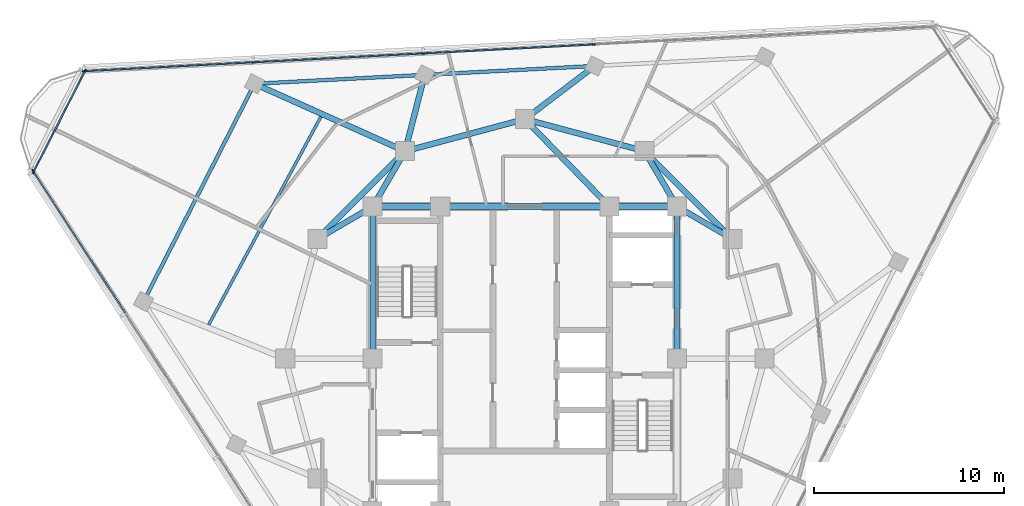
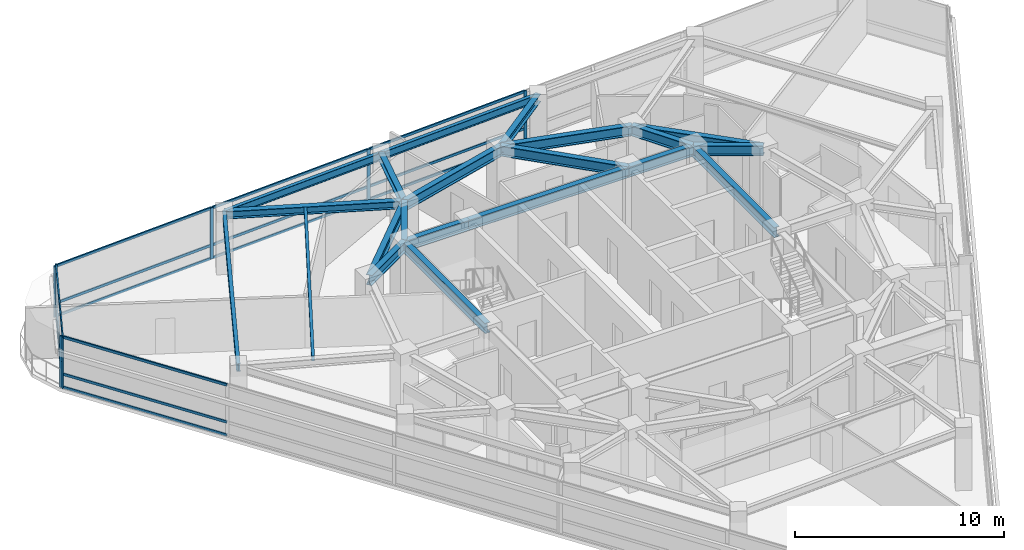
# One storey, part 5 of 15: 22 members, 21 beams, 3 elements without a shape of their own.
"""IFC4 building model written with IfcOpenShell, lengths in metres."""

from ifc_helpers import new_model, si_unit, direction, frame, origin, origin_2d, place, context, subcontext, project, spatial, rectangle, i_section, extrude, material, layer, layer_set, material_profile, profile_set, type_object, element, aggregate, save


model = new_model("IFC4")

# Units and contexts
model_context = context("Model", 3, precision=1e-05, world=origin(), true_north=direction((0.0, 1.0)))
body_context = subcontext(model_context, "Body", "Model", "MODEL_VIEW")
ifc_project = project(units=[si_unit("LENGTHUNIT", "METRE"), si_unit("AREAUNIT", "SQUARE_METRE"), si_unit("VOLUMEUNIT", "CUBIC_METRE"), si_unit("PLANEANGLEUNIT", "RADIAN"), si_unit("MASSUNIT", "GRAM", prefix="KILO")], contexts=[model_context])

# Site, building, storey
site_placement = place(None, origin())
site = spatial("IfcSite", under=ifc_project, at=site_placement, CompositionType="ELEMENT")
building_placement = place(site_placement, origin())
building = spatial("IfcBuilding", under=site, at=building_placement, Name="Terralouvre Media Tower", CompositionType="ELEMENT")
storey_placement = place(building_placement, frame((0.0, 0.0, 248.5)))
storey = spatial("IfcBuildingStorey", under=building, at=storey_placement, Name="L64", CompositionType="ELEMENT", Elevation=248.5)

# Beam
ifc_material_1 = material(Name="Structural steel S355J2", Category="steel")
ifc_material_profile_1 = material_profile(ifc_material_1, i_section(OverallWidth=0.14990234375, OverallDepth=0.300048828125, WebThickness=0.007080078125, FlangeThickness=0.0107421875, at=origin_2d()), Name="IPE 300")
ifc_profile_set_1 = profile_set([ifc_material_profile_1], Name="Structural steel S355J2")
beam_type_1 = type_object("IfcBeamType", Name="Composite Floor Joist J-IPE300 (IPE 300)", PredefinedType="JOIST", material=ifc_profile_set_1)
beam_1_placement = place(storey_placement, frame((-10.72509765625, 12.73046875, 3.35009765625), z_axis=(-0.47463118451, -0.880184775312, 0.0), x_axis=(0.880184775312, -0.47463118451, 0.0)))
element("IfcBeam", 1, at=beam_1_placement, inside=storey, type_object=beam_type_1, Name="L64 Framing Beam JT-L64-05", PredefinedType="JOIST", context=body_context, shape_type="SweptSolid", body=[
    extrude(i_section(OverallWidth=0.14990234375, OverallDepth=0.300048828125, WebThickness=0.007080078125, FlangeThickness=0.0107421875, at=origin_2d()), origin(), (0.0, 0.0, 1.0), 12.437255859375),
])

# Curtain wall, members
ifc_material_2 = material(Name="Low-iron laminated double glazing with solar-control coating", Category="glass")
ifc_layer_1 = layer(ifc_material_2, 0.1650390625, Name="Upper Executive Tower Curtain Wall CW-05")
ifc_layer_set_1 = layer_set([ifc_layer_1], Name="Low-iron laminated double glazing with solar-control coating")
curtain_wall_type_1 = type_object("IfcCurtainWallType", Name="Upper Executive Tower Curtain Wall CW-05", PredefinedType="NOTDEFINED", material=ifc_layer_set_1)
curtain_wall_1_placement = place(storey_placement, origin())
curtain_wall_1 = element("IfcCurtainWall", 2, at=curtain_wall_1_placement, inside=storey, type_object=curtain_wall_type_1, Name="L64 Facade Curtain Wall F1", PredefinedType="NOTDEFINED")
ifc_material_3 = material(Name="Anodised extruded aluminium 6063-T6", Category="aluminium")
ifc_material_profile_2 = material_profile(ifc_material_3, rectangle(XDim=0.074951171875, YDim=0.14990234375, at=origin_2d()), Name="ALU 75x150")
ifc_profile_set_2 = profile_set([ifc_material_profile_2], Name="Anodised extruded aluminium 6063-T6")
member_type_1 = type_object("IfcMemberType", Name="Curtain-Wall Horizontal Transom TR-150", PredefinedType="USERDEFINED", material=ifc_profile_set_2)
member_1_placement = place(storey_placement, frame((3.582763671875, 16.522705078125, 0.03759765625), z_axis=(-0.998630476572, -0.052317982208, 0.0), x_axis=(0.052317982208, -0.998630476572, 0.0)))
member_1 = element("IfcMember", 3, at=member_1_placement, type_object=member_type_1, Name="CW-05 transom 3.1", ObjectType="TRANSOM", PredefinedType="USERDEFINED", context=body_context, shape_type="SweptSolid", body=[
    extrude(rectangle(XDim=0.074951171875, YDim=0.14990234375, at=origin_2d()), origin(), (0.0, 0.0, 1.0), 8.885009765625),
])
member_2_placement = place(storey_placement, frame((3.582763671875, 16.522705078125, 0.800048828125), z_axis=(-0.998630476572, -0.052317982208, 0.0), x_axis=(0.052317982208, -0.998630476572, 0.0)))
member_2 = element("IfcMember", 4, at=member_2_placement, type_object=member_type_1, Name="CW-05 transom 3.2", ObjectType="TRANSOM", PredefinedType="USERDEFINED", context=body_context, shape_type="SweptSolid", body=[
    extrude(rectangle(XDim=0.074951171875, YDim=0.14990234375, at=origin_2d()), origin(), (0.0, 0.0, 1.0), 8.885009765625),
])
member_3_placement = place(storey_placement, frame((3.582763671875, 16.522705078125, 2.96240234375), z_axis=(-0.998630476572, -0.052317982208, 0.0), x_axis=(0.052317982208, -0.998630476572, 0.0)))
member_3 = element("IfcMember", 5, at=member_3_placement, type_object=member_type_1, Name="CW-05 transom 3.3", ObjectType="TRANSOM", PredefinedType="USERDEFINED", context=body_context, shape_type="SweptSolid", body=[
    extrude(rectangle(XDim=0.074951171875, YDim=0.14990234375, at=origin_2d()), origin(), (0.0, 0.0, 1.0), 8.885009765625),
])
member_4_placement = place(storey_placement, frame((-5.364990234375, 16.053955078125, 0.03759765625), z_axis=(-0.998629040577, -0.052345384869, 0.0), x_axis=(0.052345384869, -0.998629040577, 0.0)))
member_4 = element("IfcMember", 6, at=member_4_placement, type_object=member_type_1, Name="CW-05 transom 4.1", ObjectType="TRANSOM", PredefinedType="USERDEFINED", context=body_context, shape_type="SweptSolid", body=[
    extrude(rectangle(XDim=0.074951171875, YDim=0.14990234375, at=origin_2d()), origin(), (0.0, 0.0, 1.0), 8.885009765625),
])
member_5_placement = place(storey_placement, frame((-5.364990234375, 16.053955078125, 0.800048828125), z_axis=(-0.998629040577, -0.052345384869, 0.0), x_axis=(0.052345384869, -0.998629040577, 0.0)))
member_5 = element("IfcMember", 7, at=member_5_placement, type_object=member_type_1, Name="CW-05 transom 4.2", ObjectType="TRANSOM", PredefinedType="USERDEFINED", context=body_context, shape_type="SweptSolid", body=[
    extrude(rectangle(XDim=0.074951171875, YDim=0.14990234375, at=origin_2d()), origin(), (0.0, 0.0, 1.0), 8.885009765625),
])
member_6_placement = place(storey_placement, frame((-5.364990234375, 16.053955078125, 2.96240234375), z_axis=(-0.998629040577, -0.052345384869, 0.0), x_axis=(0.052345384869, -0.998629040577, 0.0)))
member_6 = element("IfcMember", 8, at=member_6_placement, type_object=member_type_1, Name="CW-05 transom 4.3", ObjectType="TRANSOM", PredefinedType="USERDEFINED", context=body_context, shape_type="SweptSolid", body=[
    extrude(rectangle(XDim=0.074951171875, YDim=0.14990234375, at=origin_2d()), origin(), (0.0, 0.0, 1.0), 8.885009765625),
])
member_7_placement = place(storey_placement, frame((-14.312744140625, 15.5849609375, 0.03759765625), z_axis=(-0.99862901196, -0.052345930801, 0.0), x_axis=(0.052345930801, -0.99862901196, 0.0)))
member_7 = element("IfcMember", 9, at=member_7_placement, type_object=member_type_1, Name="CW-05 transom 5.1", ObjectType="TRANSOM", PredefinedType="USERDEFINED", context=body_context, shape_type="SweptSolid", body=[
    extrude(rectangle(XDim=0.074951171875, YDim=0.14990234375, at=origin_2d()), origin(), (0.0, 0.0, 1.0), 8.84765625),
])
member_8_placement = place(storey_placement, frame((-14.312744140625, 15.5849609375, 0.800048828125), z_axis=(-0.99862901196, -0.052345930801, 0.0), x_axis=(0.052345930801, -0.99862901196, 0.0)))
member_8 = element("IfcMember", 10, at=member_8_placement, type_object=member_type_1, Name="CW-05 transom 5.2", ObjectType="TRANSOM", PredefinedType="USERDEFINED", context=body_context, shape_type="SweptSolid", body=[
    extrude(rectangle(XDim=0.074951171875, YDim=0.14990234375, at=origin_2d()), origin(), (0.0, 0.0, 1.0), 8.84765625),
])
member_9_placement = place(storey_placement, frame((-14.312744140625, 15.5849609375, 2.96240234375), z_axis=(-0.99862901196, -0.052345930801, 0.0), x_axis=(0.052345930801, -0.99862901196, 0.0)))
member_9 = element("IfcMember", 11, at=member_9_placement, type_object=member_type_1, Name="CW-05 transom 5.3", ObjectType="TRANSOM", PredefinedType="USERDEFINED", context=body_context, shape_type="SweptSolid", body=[
    extrude(rectangle(XDim=0.074951171875, YDim=0.14990234375, at=origin_2d()), origin(), (0.0, 0.0, 1.0), 8.84765625),
])

curtain_wall_2_placement = place(storey_placement, origin())
curtain_wall_2 = element("IfcCurtainWall", 12, at=curtain_wall_2_placement, inside=storey, type_object=curtain_wall_type_1, Name="L64 Facade Curtain Wall F2", PredefinedType="NOTDEFINED")
member_10_placement = place(storey_placement, frame((-25.840087890625, 9.8388671875, 0.03759765625), z_axis=(0.5446498072, -0.838663572308, 0.0), x_axis=(0.838663572308, 0.5446498072, 0.0)))
member_10 = element("IfcMember", 13, at=member_10_placement, type_object=member_type_1, Name="CW-05 transom 1.1", ObjectType="TRANSOM", PredefinedType="USERDEFINED", context=body_context, shape_type="SweptSolid", body=[
    extrude(rectangle(XDim=0.074951171875, YDim=0.14990234375, at=origin_2d()), origin(), (0.0, 0.0, 1.0), 8.84765625),
])
member_11_placement = place(storey_placement, frame((-25.840087890625, 9.8388671875, 0.800048828125), z_axis=(0.5446498072, -0.838663572308, 0.0), x_axis=(0.838663572308, 0.5446498072, 0.0)))
member_11 = element("IfcMember", 14, at=member_11_placement, type_object=member_type_1, Name="CW-05 transom 1.2", ObjectType="TRANSOM", PredefinedType="USERDEFINED", context=body_context, shape_type="SweptSolid", body=[
    extrude(rectangle(XDim=0.074951171875, YDim=0.14990234375, at=origin_2d()), origin(), (0.0, 0.0, 1.0), 8.84765625),
])
member_12_placement = place(storey_placement, frame((-25.840087890625, 9.8388671875, 2.96240234375), z_axis=(0.5446498072, -0.838663572308, 0.0), x_axis=(0.838663572308, 0.5446498072, 0.0)))
member_12 = element("IfcMember", 15, at=member_12_placement, type_object=member_type_1, Name="CW-05 transom 1.3", ObjectType="TRANSOM", PredefinedType="USERDEFINED", context=body_context, shape_type="SweptSolid", body=[
    extrude(rectangle(XDim=0.074951171875, YDim=0.14990234375, at=origin_2d()), origin(), (0.0, 0.0, 1.0), 8.84765625),
])

ifc_material_4 = material(Name="Low-iron laminated double glazing with solar-control coating", Category="glass")
ifc_layer_2 = layer(ifc_material_4, 0.1650390625, Name="Rounded Wind-Corner Curved Glazing CW-04")
ifc_layer_set_2 = layer_set([ifc_layer_2], Name="Low-iron laminated double glazing with solar-control coating")
curtain_wall_type_2 = type_object("IfcCurtainWallType", Name="Rounded Wind-Corner Curved Glazing CW-04", PredefinedType="NOTDEFINED", material=ifc_layer_set_2)
curtain_wall_3_placement = place(storey_placement, origin())
curtain_wall_3 = element("IfcCurtainWall", 16, at=curtain_wall_3_placement, inside=storey, type_object=curtain_wall_type_2, Name="L64 Rounded Wind-Corner Curtain Wall C2", PredefinedType="NOTDEFINED")
member_13_placement = place(storey_placement, frame((-23.138671875, 15.107421875, 0.03759765625), z_axis=(-0.453989495794, -0.891007035724, 0.0), x_axis=(0.891007035724, -0.453989495794, 0.0)))
member_13 = element("IfcMember", 17, at=member_13_placement, type_object=member_type_1, Name="CW-04 transom 1.1", ObjectType="TRANSOM", PredefinedType="USERDEFINED", context=body_context, shape_type="SweptSolid", body=[
    extrude(rectangle(XDim=0.074951171875, YDim=0.14990234375, at=origin_2d()), origin(), (0.0, 0.0, 1.0), 5.912109375),
])
member_14_placement = place(storey_placement, frame((-23.138671875, 15.107421875, 0.800048828125), z_axis=(-0.453989495794, -0.891007035724, 0.0), x_axis=(0.891007035724, -0.453989495794, 0.0)))
member_14 = element("IfcMember", 18, at=member_14_placement, type_object=member_type_1, Name="CW-04 transom 1.2", ObjectType="TRANSOM", PredefinedType="USERDEFINED", context=body_context, shape_type="SweptSolid", body=[
    extrude(rectangle(XDim=0.074951171875, YDim=0.14990234375, at=origin_2d()), origin(), (0.0, 0.0, 1.0), 5.912109375),
])
member_15_placement = place(storey_placement, frame((-23.138671875, 15.107421875, 2.96240234375), z_axis=(-0.453989495794, -0.891007035724, 0.0), x_axis=(0.891007035724, -0.453989495794, 0.0)))
member_15 = element("IfcMember", 19, at=member_15_placement, type_object=member_type_1, Name="CW-04 transom 1.3", ObjectType="TRANSOM", PredefinedType="USERDEFINED", context=body_context, shape_type="SweptSolid", body=[
    extrude(rectangle(XDim=0.074951171875, YDim=0.14990234375, at=origin_2d()), origin(), (0.0, 0.0, 1.0), 5.912109375),
])

# Member
ifc_material_5 = material(Name="Anodised extruded aluminium 6063-T6", Category="aluminium")
ifc_material_profile_3 = material_profile(ifc_material_5, rectangle(XDim=0.074951171875, YDim=0.179931640625, at=origin_2d()), Name="ALU 75x180")
ifc_profile_set_3 = profile_set([ifc_material_profile_3], Name="Anodised extruded aluminium 6063-T6")
member_type_2 = type_object("IfcMemberType", Name="Curtain-Wall Vertical Mullion ML-180", PredefinedType="MULLION", material=ifc_profile_set_3)
member_16_placement = place(storey_placement, frame((3.6201171875, 16.524658203125, 0.0), z_axis=(0.0, 0.0, 1.0), x_axis=(0.052336163844, -0.998629523875, 0.0)))
member_16 = element("IfcMember", 20, at=member_16_placement, type_object=member_type_2, Name="CW-05 mullion 3", PredefinedType="MULLION", context=body_context, shape_type="SweptSolid", body=[
    extrude(rectangle(XDim=0.074951171875, YDim=0.179931640625, at=origin_2d()), origin(), (0.0, 0.0, 1.0), 3.0),
])

member_17_placement = place(storey_placement, frame((-5.32763671875, 16.055908203125, 0.0), z_axis=(0.0, 0.0, 1.0), x_axis=(0.052336163844, -0.998629523875, 0.0)))
member_17 = element("IfcMember", 21, at=member_17_placement, type_object=member_type_2, Name="CW-05 mullion 4", PredefinedType="MULLION", context=body_context, shape_type="SweptSolid", body=[
    extrude(rectangle(XDim=0.074951171875, YDim=0.179931640625, at=origin_2d()), origin(), (0.0, 0.0, 1.0), 3.0),
])

member_18_placement = place(storey_placement, frame((-14.275390625, 15.5869140625, 0.0), z_axis=(0.0, 0.0, 1.0), x_axis=(0.052336163844, -0.998629523875, 0.0)))
member_18 = element("IfcMember", 22, at=member_18_placement, type_object=member_type_2, Name="CW-05 mullion 5", PredefinedType="MULLION", context=body_context, shape_type="SweptSolid", body=[
    extrude(rectangle(XDim=0.074951171875, YDim=0.179931640625, at=origin_2d()), origin(), (0.0, 0.0, 1.0), 3.0),
])

member_19_placement = place(storey_placement, frame((-23.185546875, 15.119873046875, 0.0), z_axis=(0.0, 0.0, 1.0), x_axis=(0.052336163844, -0.998629523875, 0.0)))
member_19 = element("IfcMember", 23, at=member_19_placement, type_object=member_type_2, Name="CW-05 mullion 6", PredefinedType="MULLION", context=body_context, shape_type="SweptSolid", body=[
    extrude(rectangle(XDim=0.074951171875, YDim=0.179931640625, at=origin_2d()), origin(), (0.0, 0.0, 1.0), 3.0),
])

aggregate(curtain_wall_1, [member_16, member_17, member_18, member_19, member_1, member_2, member_3, member_4, member_5, member_6, member_7, member_8, member_9])

member_20_placement = place(storey_placement, frame((-25.8603515625, 9.870361328125, 0.0), z_axis=(0.0, 0.0, 1.0), x_axis=(0.838670545826, 0.544639069077, 0.0)))
member_20 = element("IfcMember", 24, at=member_20_placement, type_object=member_type_2, Name="CW-05 mullion 1", PredefinedType="MULLION", context=body_context, shape_type="SweptSolid", body=[
    extrude(rectangle(XDim=0.074951171875, YDim=0.179931640625, at=origin_2d()), origin(), (0.0, 0.0, 1.0), 3.0),
])

aggregate(curtain_wall_2, [member_20, member_10, member_11, member_12])

member_21_placement = place(storey_placement, frame((-23.12158203125, 15.140869140625, 0.0), z_axis=(0.0, 0.0, 1.0), x_axis=(0.891006600517, -0.453990349937, 0.0)))
member_21 = element("IfcMember", 25, at=member_21_placement, type_object=member_type_2, Name="CW-04 mullion 1", PredefinedType="MULLION", context=body_context, shape_type="SweptSolid", body=[
    extrude(rectangle(XDim=0.074951171875, YDim=0.179931640625, at=origin_2d()), origin(), (0.0, 0.0, 1.0), 3.0),
])

member_22_placement = place(storey_placement, frame((-25.83984375, 9.80615234375, 0.0), z_axis=(0.0, 0.0, 1.0), x_axis=(0.891006600517, -0.453990349937, 0.0)))
member_22 = element("IfcMember", 26, at=member_22_placement, type_object=member_type_2, Name="CW-04 mullion 2", PredefinedType="MULLION", context=body_context, shape_type="SweptSolid", body=[
    extrude(rectangle(XDim=0.074951171875, YDim=0.179931640625, at=origin_2d()), origin(), (0.0, 0.0, 1.0), 3.0),
])

aggregate(curtain_wall_3, [member_21, member_22, member_13, member_14, member_15])

# Beams
ifc_material_6 = material(Name="Structural steel S355J2", Category="steel")
ifc_material_profile_4 = material_profile(ifc_material_6, i_section(OverallWidth=0.18994140625, OverallDepth=0.449951171875, WebThickness=0.009521484375, FlangeThickness=0.0146484375, at=origin_2d()), Name="IPE 450")
ifc_profile_set_4 = profile_set([ifc_material_profile_4], Name="Structural steel S355J2")
beam_type_2 = type_object("IfcBeamType", Name="Perimeter Spandrel Beam SPB-450 (IPE 450)", PredefinedType="SPANDREL", material=ifc_profile_set_4)
for number, where, z_axis, x_axis, name in (
    (27, (3.67919921875, 15.396240234375, 3.27490234375), (-0.998630595649, -0.05231570924, 0.0), (0.05231570924, -0.998630595649, 0.0), "L64 Framing Beam BM-L64-PR09"),
    (28, (-5.2685546875, 14.927490234375, 3.27490234375), (-0.998629171747, -0.052342882372, 0.0), (0.052342882372, -0.998629171747, 0.0), "L64 Framing Beam BM-L64-PR10"),
):
    element("IfcBeam", number, at=place(storey_placement, frame(where, z_axis=z_axis, x_axis=x_axis)), inside=storey, type_object=beam_type_2, Name=name, PredefinedType="SPANDREL", context=body_context, shape_type="SweptSolid", body=[
        extrude(i_section(OverallWidth=0.18994140625, OverallDepth=0.449951171875, WebThickness=0.009521484375, FlangeThickness=0.0146484375, at=origin_2d()), origin(), (0.0, 0.0, 1.0), 8.9599609375),
    ])
beam_2_placement = place(storey_placement, frame((-14.21630859375, 14.45849609375, 3.27490234375), z_axis=(-0.453983525005, -0.891010077958, 0.0), x_axis=(0.891010077958, -0.453983525005, 0.0)))
element("IfcBeam", 29, at=beam_2_placement, inside=storey, type_object=beam_type_2, Name="L64 Framing Beam BM-L64-PR11", PredefinedType="SPANDREL", context=body_context, shape_type="SweptSolid", body=[
    extrude(i_section(OverallWidth=0.18994140625, OverallDepth=0.449951171875, WebThickness=0.009521484375, FlangeThickness=0.0146484375, at=origin_2d()), origin(), (0.0, 0.0, 1.0), 12.857177734375),
])
ifc_material_7 = material(Name="Structural steel S355J2", Category="steel")
ifc_material_profile_5 = material_profile(ifc_material_7, i_section(OverallWidth=0.300048828125, OverallDepth=0.449951171875, WebThickness=0.013916015625, FlangeThickness=0.02587890625, at=origin_2d()), Name="HEB 450")
ifc_profile_set_5 = profile_set([ifc_material_profile_5], Name="Structural steel S355J2")
beam_type_3 = type_object("IfcBeamType", Name="Primary Floor Girder B-HEB450 (HEB 450)", PredefinedType="BEAM", material=ifc_profile_set_5)
beam_3_placement = place(storey_placement, frame((0.0, 12.60009765625, 3.27490234375), z_axis=(0.796167284329, 0.605076569836, 0.0), x_axis=(-0.605076569836, 0.796167284329, 0.0)))
element("IfcBeam", 30, at=beam_3_placement, inside=storey, type_object=beam_type_3, Name="L64 Framing Beam BM-L64-RD09", PredefinedType="BEAM", context=body_context, shape_type="SweptSolid", body=[
    extrude(i_section(OverallWidth=0.300048828125, OverallDepth=0.449951171875, WebThickness=0.013916015625, FlangeThickness=0.02587890625, at=origin_2d()), origin(), (0.0, 0.0, 1.0), 4.62109375),
])
beam_4_placement = place(storey_placement, frame((-6.300048828125, 10.911865234375, 3.27490234375), z_axis=(0.248793268672, 0.968556611388, 0.0), x_axis=(-0.968556611388, 0.248793268672, 0.0)))
element("IfcBeam", 31, at=beam_4_placement, inside=storey, type_object=beam_type_3, Name="L64 Framing Beam BM-L64-RD10", PredefinedType="BEAM", context=body_context, shape_type="SweptSolid", body=[
    extrude(i_section(OverallWidth=0.300048828125, OverallDepth=0.449951171875, WebThickness=0.013916015625, FlangeThickness=0.02587890625, at=origin_2d()), origin(), (0.0, 0.0, 1.0), 4.14599609375),
])
beam_5_placement = place(storey_placement, frame((-6.300048828125, 10.911865234375, 3.27490234375), z_axis=(-0.912596970607, 0.408860329746, 0.0), x_axis=(-0.408860329746, -0.912596970607, 0.0)))
element("IfcBeam", 32, at=beam_5_placement, inside=storey, type_object=beam_type_3, Name="L64 Framing Beam BM-L64-RD11", PredefinedType="BEAM", context=body_context, shape_type="SweptSolid", body=[
    extrude(i_section(OverallWidth=0.300048828125, OverallDepth=0.449951171875, WebThickness=0.013916015625, FlangeThickness=0.02587890625, at=origin_2d()), origin(), (0.0, 0.0, 1.0), 8.67431640625),
])
ifc_material_8 = material(Name="Structural steel S460M", Category="steel")
ifc_material_profile_6 = material_profile(ifc_material_8, i_section(OverallWidth=0.300048828125, OverallDepth=0.60009765625, WebThickness=0.015380859375, FlangeThickness=0.030029296875, at=origin_2d()), Name="HEB 600")
ifc_profile_set_6 = profile_set([ifc_material_profile_6], Name="Structural steel S460M")
beam_type_4 = type_object("IfcBeamType", Name="Primary Floor Girder B-HEB600 (HEB 600)", PredefinedType="BEAM", material=ifc_profile_set_6)
beam_6_placement = place(storey_placement, frame((8.0, 0.0, 3.199951171875), z_axis=(0.0, 1.0, 0.0), x_axis=(-1.0, 0.0, 0.0)))
element("IfcBeam", 33, at=beam_6_placement, inside=storey, type_object=beam_type_4, Name="L64 Framing Beam BM-L64-CPR05", PredefinedType="BEAM", context=body_context, shape_type="SweptSolid", body=[
    extrude(i_section(OverallWidth=0.300048828125, OverallDepth=0.60009765625, WebThickness=0.015380859375, FlangeThickness=0.030029296875, at=origin_2d()), origin(), (0.0, 0.0, 1.0), 8.0),
])
beam_7_placement = place(storey_placement, frame((8.0, 8.0, 3.199951171875), z_axis=(-1.0, 0.0, 0.0), x_axis=(0.0, -1.0, 0.0)))
element("IfcBeam", 34, at=beam_7_placement, inside=storey, type_object=beam_type_4, Name="L64 Framing Beam BM-L64-CPR06", PredefinedType="BEAM", context=body_context, shape_type="SweptSolid", body=[
    extrude(i_section(OverallWidth=0.300048828125, OverallDepth=0.60009765625, WebThickness=0.015380859375, FlangeThickness=0.030029296875, at=origin_2d()), origin(), (0.0, 0.0, 1.0), 3.550048828125),
])
beam_8_placement = place(storey_placement, frame((4.449951171875, 8.0, 3.199951171875), z_axis=(-1.0, 0.0, 0.0), x_axis=(0.0, -1.0, 0.0)))
element("IfcBeam", 35, at=beam_8_placement, inside=storey, type_object=beam_type_4, Name="L64 Framing Beam BM-L64-CPR07", PredefinedType="BEAM", context=body_context, shape_type="SweptSolid", body=[
    extrude(i_section(OverallWidth=0.300048828125, OverallDepth=0.60009765625, WebThickness=0.015380859375, FlangeThickness=0.030029296875, at=origin_2d()), origin(), (0.0, 0.0, 1.0), 8.89990234375),
])
beam_9_placement = place(storey_placement, frame((-4.449951171875, 8.0, 3.199951171875), z_axis=(-1.0, 0.0, 0.0), x_axis=(0.0, -1.0, 0.0)))
element("IfcBeam", 36, at=beam_9_placement, inside=storey, type_object=beam_type_4, Name="L64 Framing Beam BM-L64-CPR08", PredefinedType="BEAM", context=body_context, shape_type="SweptSolid", body=[
    extrude(i_section(OverallWidth=0.300048828125, OverallDepth=0.60009765625, WebThickness=0.015380859375, FlangeThickness=0.030029296875, at=origin_2d()), origin(), (0.0, 0.0, 1.0), 3.550048828125),
])
beam_10_placement = place(storey_placement, frame((-8.0, 8.0, 3.199951171875), z_axis=(0.0, -1.0, 0.0), x_axis=(1.0, 0.0, 0.0)))
element("IfcBeam", 37, at=beam_10_placement, inside=storey, type_object=beam_type_4, Name="L64 Framing Beam BM-L64-CPR09", PredefinedType="BEAM", context=body_context, shape_type="SweptSolid", body=[
    extrude(i_section(OverallWidth=0.300048828125, OverallDepth=0.60009765625, WebThickness=0.015380859375, FlangeThickness=0.030029296875, at=origin_2d()), origin(), (0.0, 0.0, 1.0), 8.0),
])
beam_11_placement = place(storey_placement, frame((10.911865234375, 6.300048828125, 3.199951171875), z_axis=(-0.707106781187, 0.707106781187, 0.0), x_axis=(-0.707106781187, -0.707106781187, 0.0)))
element("IfcBeam", 38, at=beam_11_placement, inside=storey, type_object=beam_type_4, Name="L64 Framing Beam BM-L64-MR07", PredefinedType="BEAM", context=body_context, shape_type="SweptSolid", body=[
    extrude(i_section(OverallWidth=0.300048828125, OverallDepth=0.60009765625, WebThickness=0.015380859375, FlangeThickness=0.030029296875, at=origin_2d()), origin(), (0.0, 0.0, 1.0), 6.52197265625),
])
for number, where, z_axis, x_axis, name in (
    (39, (6.300048828125, 10.911865234375, 3.199951171875), (-0.965920481897, 0.258838989821, 0.0), (-0.258838989821, -0.965920481897, 0.0), "L64 Framing Beam BM-L64-MR08"),
    (40, (0.0, 12.60009765625, 3.199951171875), (-0.965920481897, -0.258838989821, 0.0), (0.258838989821, -0.965920481897, 0.0), "L64 Framing Beam BM-L64-MR09"),
):
    element("IfcBeam", number, at=place(storey_placement, frame(where, z_axis=z_axis, x_axis=x_axis)), inside=storey, type_object=beam_type_4, Name=name, PredefinedType="BEAM", context=body_context, shape_type="SweptSolid", body=[
        extrude(i_section(OverallWidth=0.300048828125, OverallDepth=0.60009765625, WebThickness=0.015380859375, FlangeThickness=0.030029296875, at=origin_2d()), origin(), (0.0, 0.0, 1.0), 6.522216796875),
    ])
beam_12_placement = place(storey_placement, frame((-6.300048828125, 10.911865234375, 3.199951171875), z_axis=(-0.707106781187, -0.707106781187, 0.0), x_axis=(0.707106781187, -0.707106781187, 0.0)))
element("IfcBeam", 41, at=beam_12_placement, inside=storey, type_object=beam_type_4, Name="L64 Framing Beam BM-L64-MR10", PredefinedType="BEAM", context=body_context, shape_type="SweptSolid", body=[
    extrude(i_section(OverallWidth=0.300048828125, OverallDepth=0.60009765625, WebThickness=0.015380859375, FlangeThickness=0.030029296875, at=origin_2d()), origin(), (0.0, 0.0, 1.0), 6.52197265625),
])
for number, where, z_axis, x_axis, name in (
    (42, (8.0, 8.0, 3.199951171875), (0.863602894532, -0.504172629717, 0.0), (0.504172629717, 0.863602894532, 0.0), "L64 Framing Beam BM-L64-CM07"),
    (43, (8.0, 8.0, 3.199951171875), (-0.504172629717, 0.863602894532, 0.0), (-0.863602894532, -0.504172629717, 0.0), "L64 Framing Beam BM-L64-CM08"),
):
    element("IfcBeam", number, at=place(storey_placement, frame(where, z_axis=z_axis, x_axis=x_axis)), inside=storey, type_object=beam_type_4, Name=name, PredefinedType="BEAM", context=body_context, shape_type="SweptSolid", body=[
        extrude(i_section(OverallWidth=0.300048828125, OverallDepth=0.60009765625, WebThickness=0.015380859375, FlangeThickness=0.030029296875, at=origin_2d()), origin(), (0.0, 0.0, 1.0), 3.371826171875),
    ])
beam_13_placement = place(storey_placement, frame((4.449951171875, 8.0, 3.199951171875), z_axis=(-0.695279715726, 0.718739255155, 0.0), x_axis=(-0.718739255155, -0.695279715726, 0.0)))
element("IfcBeam", 44, at=beam_13_placement, inside=storey, type_object=beam_type_4, Name="L64 Framing Beam BM-L64-CM09", PredefinedType="BEAM", context=body_context, shape_type="SweptSolid", body=[
    extrude(i_section(OverallWidth=0.300048828125, OverallDepth=0.60009765625, WebThickness=0.015380859375, FlangeThickness=0.030029296875, at=origin_2d()), origin(), (0.0, 0.0, 1.0), 6.400146484375),
])
for number, where, z_axis, x_axis, name in (
    (45, (-8.0, 8.0, 3.199951171875), (0.504172629717, 0.863602894532, 0.0), (-0.863602894532, 0.504172629717, 0.0), "L64 Framing Beam BM-L64-CM10"),
    (46, (-8.0, 8.0, 3.199951171875), (-0.863602894532, -0.504172629717, 0.0), (0.504172629717, -0.863602894532, 0.0), "L64 Framing Beam BM-L64-CM11"),
):
    element("IfcBeam", number, at=place(storey_placement, frame(where, z_axis=z_axis, x_axis=x_axis)), inside=storey, type_object=beam_type_4, Name=name, PredefinedType="BEAM", context=body_context, shape_type="SweptSolid", body=[
        extrude(i_section(OverallWidth=0.300048828125, OverallDepth=0.60009765625, WebThickness=0.015380859375, FlangeThickness=0.030029296875, at=origin_2d()), origin(), (0.0, 0.0, 1.0), 3.371826171875),
    ])

save(model, "model.ifc")
